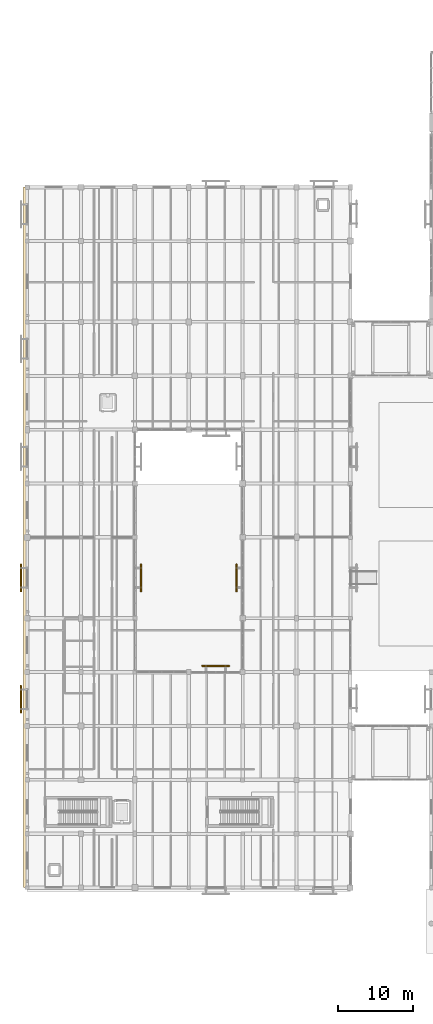
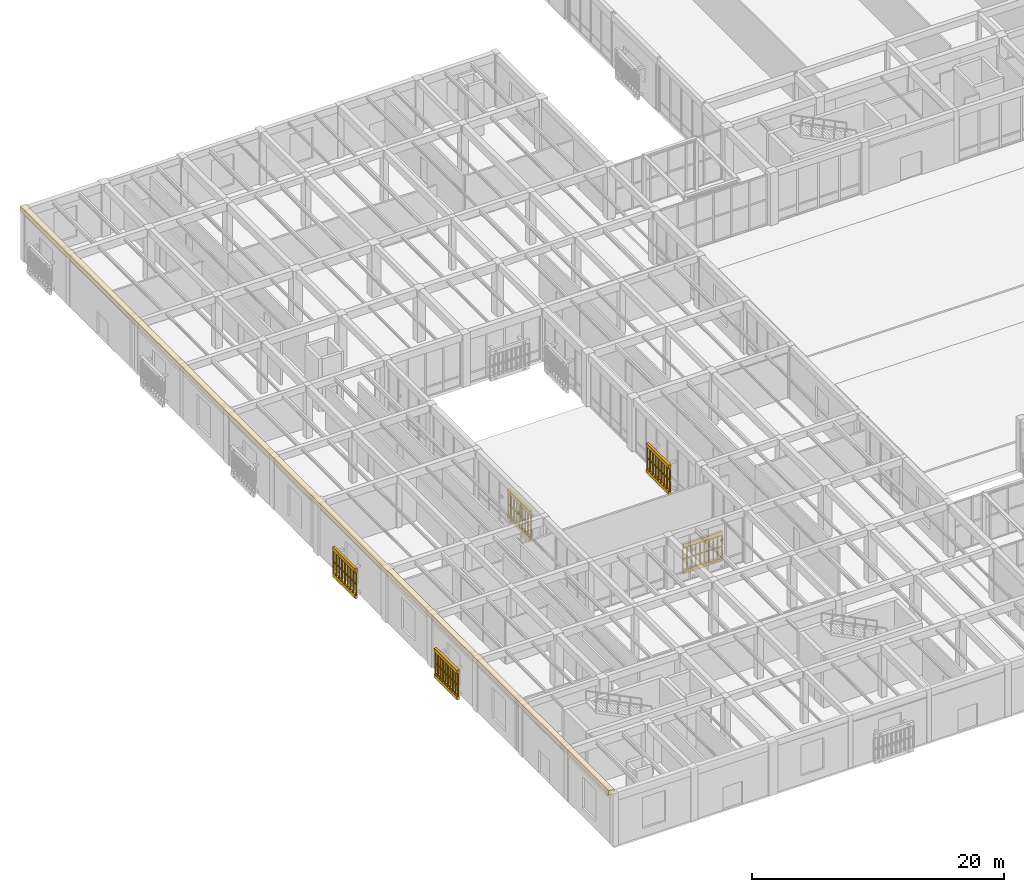
# One storey, part 146 of 169: 11 coverings, 10 railings.
"""IFC4 building model written with IfcOpenShell, lengths in metres."""

from ifc_helpers import new_model, si_unit, direction, frame, origin, origin_2d, place, context, subcontext, project, spatial, polyline, circle, outline, extrude, material, layer, layer_set, type_object, element, save


model = new_model("IFC4")

# Units and contexts
model_context = context("Model", 3, precision=1e-05, world=origin(), true_north=direction((0.0, 1.0)))
body_context = subcontext(model_context, "Body", "Model", "MODEL_VIEW")
ifc_project = project(units=[si_unit("LENGTHUNIT", "METRE"), si_unit("AREAUNIT", "SQUARE_METRE"), si_unit("VOLUMEUNIT", "CUBIC_METRE"), si_unit("PLANEANGLEUNIT", "RADIAN"), si_unit("MASSUNIT", "GRAM", prefix="KILO")], contexts=[model_context])

# Site, building, storey
site_placement = place(None, origin())
site = spatial("IfcSite", under=ifc_project, at=site_placement, CompositionType="ELEMENT")
building_placement = place(site_placement, origin())
building = spatial("IfcBuilding", under=site, at=building_placement, Name="Mazaris Harbour Polytechnic", CompositionType="ELEMENT")
storey_placement = place(building_placement, origin())
storey = spatial("IfcBuildingStorey", under=building, at=storey_placement, Name="L00", CompositionType="ELEMENT", Elevation=0.0)

# Covering
ifc_material_1 = material(Name="Algerian Buff Limestone", Category="masonry")
ifc_layer_1 = layer(ifc_material_1, 0.054931640625, Name="Algerian Buff Limestone")
ifc_layer_set_1 = layer_set([ifc_layer_1], Name="Algerian Buff Limestone")
covering_type_1 = type_object("IfcCoveringType", Name="Limestone Colonnade Fascia Cladding 55", PredefinedType="CLADDING", material=ifc_layer_set_1)
covering_1_placement = place(storey_placement, frame((0.0, 0.0, 4.949951171875)))
element("IfcCovering", 1, at=covering_1_placement, inside=storey, type_object=covering_type_1, Name="Covering COV-CL-04", PredefinedType="CLADDING", context=body_context, shape_type="SweptSolid", body=[
    extrude(outline(polyline([(-0.5, 7.199951171875), (0.02001953125, 7.199951171875), (0.02001953125, 100.800048828125), (-0.5, 100.800048828125), (-0.5, 7.199951171875)])), origin(), (0.0, 0.0, 1.0), 0.449951171875),
])

# Railings
ifc_material_2 = material(Name="Perforated Earth-Coloured Terracotta Block", Category="masonry")
railing_type = type_object("IfcRailingType", Name="Perforated Earth-Block Claustra Lattice 1040", PredefinedType="BALUSTRADE", material=ifc_material_2)
for number, where, name in (
    (2, (-0.820068359375, 30.58740234375, 0.52001953125), "V4 L00 Lower Perforated Terracotta Block Screen 140"),
    (3, (-0.820068359375, 30.58740234375, 1.610107421875), "V4 L00 Upper Perforated Terracotta Block Screen 140"),
):
    element("IfcRailing", number, at=place(storey_placement, frame(where)), inside=storey, type_object=railing_type, Name=name, PredefinedType="BALUSTRADE", context=body_context, shape_type="SweptSolid", body=[
        extrude(circle(Radius=0.06982421875, at=origin_2d()), frame((0.0, 0.0, 1.02001953125), z_axis=(0.0, 1.0, 0.0), x_axis=(-1.0, 0.0, 0.0)), (0.0, 0.0, 1.0), 3.60009765625),
        extrude(circle(Radius=0.074951171875, at=origin_2d()), origin(), (0.0, 0.0, 1.0), 0.9501953125),
        extrude(circle(Radius=0.074951171875, at=origin_2d()), frame((0.0, 0.39990234375, 0.0)), (0.0, 0.0, 1.0), 0.9501953125),
        extrude(circle(Radius=0.074951171875, at=origin_2d()), frame((0.0, 0.800048828125, 0.0)), (0.0, 0.0, 1.0), 0.9501953125),
        extrude(circle(Radius=0.074951171875, at=origin_2d()), frame((0.0, 1.199951171875, 0.0)), (0.0, 0.0, 1.0), 0.9501953125),
        extrude(circle(Radius=0.074951171875, at=origin_2d()), frame((0.0, 1.60009765625, 0.0)), (0.0, 0.0, 1.0), 0.9501953125),
        extrude(circle(Radius=0.074951171875, at=origin_2d()), frame((0.0, 2.0, 0.0)), (0.0, 0.0, 1.0), 0.9501953125),
        extrude(circle(Radius=0.074951171875, at=origin_2d()), frame((0.0, 2.400146484375, 0.0)), (0.0, 0.0, 1.0), 0.9501953125),
        extrude(circle(Radius=0.074951171875, at=origin_2d()), frame((0.0, 2.800048828125, 0.0)), (0.0, 0.0, 1.0), 0.9501953125),
        extrude(circle(Radius=0.074951171875, at=origin_2d()), frame((0.0, 3.2001953125, 0.0)), (0.0, 0.0, 1.0), 0.9501953125),
        extrude(circle(Radius=0.074951171875, at=origin_2d()), frame((0.0, 3.60009765625, 0.0)), (0.0, 0.0, 1.0), 0.9501953125),
    ])
for number, where, name in (
    (4, (-0.820068359375, 46.78759765625, 0.52001953125), "V4 L00 Lower Perforated Terracotta Block Screen 141"),
    (5, (-0.820068359375, 46.78759765625, 1.610107421875), "V4 L00 Upper Perforated Terracotta Block Screen 141"),
):
    element("IfcRailing", number, at=place(storey_placement, frame(where)), inside=storey, type_object=railing_type, Name=name, PredefinedType="BALUSTRADE", context=body_context, shape_type="SweptSolid", body=[
        extrude(circle(Radius=0.06982421875, at=origin_2d()), frame((0.0, 0.0, 1.02001953125), z_axis=(0.0, 1.0, 0.0), x_axis=(-1.0, 0.0, 0.0)), (0.0, 0.0, 1.0), 3.599853515625),
        extrude(circle(Radius=0.074951171875, at=origin_2d()), origin(), (0.0, 0.0, 1.0), 0.9501953125),
        extrude(circle(Radius=0.074951171875, at=origin_2d()), frame((0.0, 0.449951171875, 0.0)), (0.0, 0.0, 1.0), 0.9501953125),
        extrude(circle(Radius=0.074951171875, at=origin_2d()), frame((0.0, 0.89990234375, 0.0)), (0.0, 0.0, 1.0), 0.9501953125),
        extrude(circle(Radius=0.074951171875, at=origin_2d()), frame((0.0, 1.349853515625, 0.0)), (0.0, 0.0, 1.0), 0.9501953125),
        extrude(circle(Radius=0.074951171875, at=origin_2d()), frame((0.0, 1.7998046875, 0.0)), (0.0, 0.0, 1.0), 0.9501953125),
        extrude(circle(Radius=0.074951171875, at=origin_2d()), frame((0.0, 2.25, 0.0)), (0.0, 0.0, 1.0), 0.9501953125),
        extrude(circle(Radius=0.074951171875, at=origin_2d()), frame((0.0, 2.699951171875, 0.0)), (0.0, 0.0, 1.0), 0.9501953125),
        extrude(circle(Radius=0.074951171875, at=origin_2d()), frame((0.0, 3.14990234375, 0.0)), (0.0, 0.0, 1.0), 0.9501953125),
        extrude(circle(Radius=0.074951171875, at=origin_2d()), frame((0.0, 3.599853515625, 0.0)), (0.0, 0.0, 1.0), 0.9501953125),
    ])
for number, where, name in (
    (6, (23.39990234375, 36.820068359375, 0.52001953125), "V4 L00 Lower Perforated Terracotta Block Screen 149"),
    (7, (23.39990234375, 36.820068359375, 1.610107421875), "V4 L00 Upper Perforated Terracotta Block Screen 149"),
):
    element("IfcRailing", number, at=place(storey_placement, frame(where)), inside=storey, type_object=railing_type, Name=name, PredefinedType="BALUSTRADE", context=body_context, shape_type="SweptSolid", body=[
        extrude(circle(Radius=0.06982421875, at=origin_2d()), frame((0.0, 0.0, 1.02001953125), z_axis=(1.0, 0.0, 0.0), x_axis=(0.0, 1.0, 0.0)), (0.0, 0.0, 1.0), 3.60009765625),
        extrude(circle(Radius=0.074951171875, at=origin_2d()), origin(), (0.0, 0.0, 1.0), 0.9501953125),
        extrude(circle(Radius=0.074951171875, at=origin_2d()), frame((0.39990234375, 0.0, 0.0)), (0.0, 0.0, 1.0), 0.9501953125),
        extrude(circle(Radius=0.074951171875, at=origin_2d()), frame((0.800048828125, 0.0, 0.0)), (0.0, 0.0, 1.0), 0.9501953125),
        extrude(circle(Radius=0.074951171875, at=origin_2d()), frame((1.199951171875, 0.0, 0.0)), (0.0, 0.0, 1.0), 0.9501953125),
        extrude(circle(Radius=0.074951171875, at=origin_2d()), frame((1.60009765625, 0.0, 0.0)), (0.0, 0.0, 1.0), 0.9501953125),
        extrude(circle(Radius=0.074951171875, at=origin_2d()), frame((2.0, 0.0, 0.0)), (0.0, 0.0, 1.0), 0.9501953125),
        extrude(circle(Radius=0.074951171875, at=origin_2d()), frame((2.400146484375, 0.0, 0.0)), (0.0, 0.0, 1.0), 0.9501953125),
        extrude(circle(Radius=0.074951171875, at=origin_2d()), frame((2.800048828125, 0.0, 0.0)), (0.0, 0.0, 1.0), 0.9501953125),
        extrude(circle(Radius=0.074951171875, at=origin_2d()), frame((3.2001953125, 0.0, 0.0)), (0.0, 0.0, 1.0), 0.9501953125),
        extrude(circle(Radius=0.074951171875, at=origin_2d()), frame((3.60009765625, 0.0, 0.0)), (0.0, 0.0, 1.0), 0.9501953125),
    ])
for number, where, name in (
    (8, (15.219970703125, 46.78759765625, 0.52001953125), "V4 L00 Lower Perforated Terracotta Block Screen 151"),
    (9, (15.219970703125, 46.78759765625, 1.610107421875), "V4 L00 Upper Perforated Terracotta Block Screen 151"),
):
    element("IfcRailing", number, at=place(storey_placement, frame(where)), inside=storey, type_object=railing_type, Name=name, PredefinedType="BALUSTRADE", context=body_context, shape_type="SweptSolid", body=[
        extrude(circle(Radius=0.06982421875, at=origin_2d()), frame((0.0, 0.0, 1.02001953125), z_axis=(0.0, 1.0, 0.0), x_axis=(-1.0, 0.0, 0.0)), (0.0, 0.0, 1.0), 3.599853515625),
        extrude(circle(Radius=0.074951171875, at=origin_2d()), origin(), (0.0, 0.0, 1.0), 0.9501953125),
        extrude(circle(Radius=0.074951171875, at=origin_2d()), frame((0.0, 0.449951171875, 0.0)), (0.0, 0.0, 1.0), 0.9501953125),
        extrude(circle(Radius=0.074951171875, at=origin_2d()), frame((0.0, 0.89990234375, 0.0)), (0.0, 0.0, 1.0), 0.9501953125),
        extrude(circle(Radius=0.074951171875, at=origin_2d()), frame((0.0, 1.349853515625, 0.0)), (0.0, 0.0, 1.0), 0.9501953125),
        extrude(circle(Radius=0.074951171875, at=origin_2d()), frame((0.0, 1.7998046875, 0.0)), (0.0, 0.0, 1.0), 0.9501953125),
        extrude(circle(Radius=0.074951171875, at=origin_2d()), frame((0.0, 2.25, 0.0)), (0.0, 0.0, 1.0), 0.9501953125),
        extrude(circle(Radius=0.074951171875, at=origin_2d()), frame((0.0, 2.699951171875, 0.0)), (0.0, 0.0, 1.0), 0.9501953125),
        extrude(circle(Radius=0.074951171875, at=origin_2d()), frame((0.0, 3.14990234375, 0.0)), (0.0, 0.0, 1.0), 0.9501953125),
        extrude(circle(Radius=0.074951171875, at=origin_2d()), frame((0.0, 3.599853515625, 0.0)), (0.0, 0.0, 1.0), 0.9501953125),
    ])
for number, where, name in (
    (10, (27.97998046875, 50.387451171875, 0.52001953125), "V4 L00 Lower Perforated Terracotta Block Screen 153"),
    (11, (27.97998046875, 50.387451171875, 1.610107421875), "V4 L00 Upper Perforated Terracotta Block Screen 153"),
):
    element("IfcRailing", number, at=place(storey_placement, frame(where)), inside=storey, type_object=railing_type, Name=name, PredefinedType="BALUSTRADE", context=body_context, shape_type="SweptSolid", body=[
        extrude(circle(Radius=0.06982421875, at=origin_2d()), frame((0.0, 0.0, 1.02001953125), z_axis=(0.0, -1.0, 0.0), x_axis=(1.0, 0.0, 0.0)), (0.0, 0.0, 1.0), 3.599853515625),
        extrude(circle(Radius=0.074951171875, at=origin_2d()), origin(), (0.0, 0.0, 1.0), 0.9501953125),
        extrude(circle(Radius=0.074951171875, at=origin_2d()), frame((0.0, -0.449951171875, 0.0)), (0.0, 0.0, 1.0), 0.9501953125),
        extrude(circle(Radius=0.074951171875, at=origin_2d()), frame((0.0, -0.89990234375, 0.0)), (0.0, 0.0, 1.0), 0.9501953125),
        extrude(circle(Radius=0.074951171875, at=origin_2d()), frame((0.0, -1.349853515625, 0.0)), (0.0, 0.0, 1.0), 0.9501953125),
        extrude(circle(Radius=0.074951171875, at=origin_2d()), frame((0.0, -1.7998046875, 0.0)), (0.0, 0.0, 1.0), 0.9501953125),
        extrude(circle(Radius=0.074951171875, at=origin_2d()), frame((0.0, -2.25, 0.0)), (0.0, 0.0, 1.0), 0.9501953125),
        extrude(circle(Radius=0.074951171875, at=origin_2d()), frame((0.0, -2.699951171875, 0.0)), (0.0, 0.0, 1.0), 0.9501953125),
        extrude(circle(Radius=0.074951171875, at=origin_2d()), frame((0.0, -3.14990234375, 0.0)), (0.0, 0.0, 1.0), 0.9501953125),
        extrude(circle(Radius=0.074951171875, at=origin_2d()), frame((0.0, -3.599853515625, 0.0)), (0.0, 0.0, 1.0), 0.9501953125),
    ])

# Coverings
ifc_material_3 = material(Name="Perforated Earth-Coloured Terracotta Block", Category="masonry")
ifc_layer_2 = layer(ifc_material_3, 0.219970703125, Name="Perforated Earth-Coloured Terracotta Block")
ifc_layer_set_2 = layer_set([ifc_layer_2], Name="Perforated Earth-Coloured Terracotta Block")
covering_type_2 = type_object("IfcCoveringType", Name="Terracotta Screen Course Cladding 220", PredefinedType="CLADDING", material=ifc_layer_set_2)
covering_2_placement = place(storey_placement, frame((0.0, 0.0, 0.159912109375)))
element("IfcCovering", 12, at=covering_2_placement, inside=storey, type_object=covering_type_2, Name="V4 L00 Perforated Screen Sill Course 140", PredefinedType="CLADDING", context=body_context, shape_type="SweptSolid", body=[
    extrude(outline(polyline([(-0.7099609375, 30.58740234375), (-0.7099609375, 34.1875), (-0.929931640625, 34.1875), (-0.929931640625, 30.58740234375), (-0.7099609375, 30.58740234375)])), origin(), (0.0, 0.0, 1.0), 0.360107421875),
])
covering_3_placement = place(storey_placement, frame((0.0, 0.0, 2.699951171875)))
element("IfcCovering", 13, at=covering_3_placement, inside=storey, type_object=covering_type_2, Name="V4 L00 Perforated Screen Lintel Course 140", PredefinedType="CLADDING", context=body_context, shape_type="SweptSolid", body=[
    extrude(outline(polyline([(-0.7099609375, 30.58740234375), (-0.7099609375, 34.1875), (-0.929931640625, 34.1875), (-0.929931640625, 30.58740234375), (-0.7099609375, 30.58740234375)])), origin(), (0.0, 0.0, 1.0), 0.340087890625),
])
covering_4_placement = place(storey_placement, frame((0.0, 0.0, 0.159912109375)))
element("IfcCovering", 14, at=covering_4_placement, inside=storey, type_object=covering_type_2, Name="V4 L00 Perforated Screen Sill Course 141", PredefinedType="CLADDING", context=body_context, shape_type="SweptSolid", body=[
    extrude(outline(polyline([(-0.7099609375, 46.78759765625), (-0.7099609375, 50.387451171875), (-0.929931640625, 50.387451171875), (-0.929931640625, 46.78759765625), (-0.7099609375, 46.78759765625)])), origin(), (0.0, 0.0, 1.0), 0.360107421875),
])
covering_5_placement = place(storey_placement, frame((0.0, 0.0, 2.699951171875)))
element("IfcCovering", 15, at=covering_5_placement, inside=storey, type_object=covering_type_2, Name="V4 L00 Perforated Screen Lintel Course 141", PredefinedType="CLADDING", context=body_context, shape_type="SweptSolid", body=[
    extrude(outline(polyline([(-0.7099609375, 46.78759765625), (-0.7099609375, 50.387451171875), (-0.929931640625, 50.387451171875), (-0.929931640625, 46.78759765625), (-0.7099609375, 46.78759765625)])), origin(), (0.0, 0.0, 1.0), 0.340087890625),
])
covering_6_placement = place(storey_placement, frame((0.0, 0.0, 0.159912109375)))
element("IfcCovering", 16, at=covering_6_placement, inside=storey, type_object=covering_type_2, Name="V4 L00 Perforated Screen Sill Course 149", PredefinedType="CLADDING", context=body_context, shape_type="SweptSolid", body=[
    extrude(outline(polyline([(23.39990234375, 36.7099609375), (27.0, 36.7099609375), (27.0, 36.929931640625), (23.39990234375, 36.929931640625), (23.39990234375, 36.7099609375)])), origin(), (0.0, 0.0, 1.0), 0.360107421875),
])
covering_7_placement = place(storey_placement, frame((0.0, 0.0, 2.699951171875)))
element("IfcCovering", 17, at=covering_7_placement, inside=storey, type_object=covering_type_2, Name="V4 L00 Perforated Screen Lintel Course 149", PredefinedType="CLADDING", context=body_context, shape_type="SweptSolid", body=[
    extrude(outline(polyline([(23.39990234375, 36.7099609375), (27.0, 36.7099609375), (27.0, 36.929931640625), (23.39990234375, 36.929931640625), (23.39990234375, 36.7099609375)])), origin(), (0.0, 0.0, 1.0), 0.340087890625),
])
covering_8_placement = place(storey_placement, frame((0.0, 0.0, 0.159912109375)))
element("IfcCovering", 18, at=covering_8_placement, inside=storey, type_object=covering_type_2, Name="V4 L00 Perforated Screen Sill Course 151", PredefinedType="CLADDING", context=body_context, shape_type="SweptSolid", body=[
    extrude(outline(polyline([(15.110107421875, 46.78759765625), (15.110107421875, 50.387451171875), (15.330078125, 50.387451171875), (15.330078125, 46.78759765625), (15.110107421875, 46.78759765625)])), origin(), (0.0, 0.0, 1.0), 0.360107421875),
])
covering_9_placement = place(storey_placement, frame((0.0, 0.0, 2.699951171875)))
element("IfcCovering", 19, at=covering_9_placement, inside=storey, type_object=covering_type_2, Name="V4 L00 Perforated Screen Lintel Course 151", PredefinedType="CLADDING", context=body_context, shape_type="SweptSolid", body=[
    extrude(outline(polyline([(15.110107421875, 46.78759765625), (15.110107421875, 50.387451171875), (15.330078125, 50.387451171875), (15.330078125, 46.78759765625), (15.110107421875, 46.78759765625)])), origin(), (0.0, 0.0, 1.0), 0.340087890625),
])
covering_10_placement = place(storey_placement, frame((0.0, 0.0, 0.159912109375)))
element("IfcCovering", 20, at=covering_10_placement, inside=storey, type_object=covering_type_2, Name="V4 L00 Perforated Screen Sill Course 153", PredefinedType="CLADDING", context=body_context, shape_type="SweptSolid", body=[
    extrude(outline(polyline([(28.090087890625, 50.387451171875), (28.090087890625, 46.78759765625), (27.8701171875, 46.78759765625), (27.8701171875, 50.387451171875), (28.090087890625, 50.387451171875)])), origin(), (0.0, 0.0, 1.0), 0.360107421875),
])
covering_11_placement = place(storey_placement, frame((0.0, 0.0, 2.699951171875)))
element("IfcCovering", 21, at=covering_11_placement, inside=storey, type_object=covering_type_2, Name="V4 L00 Perforated Screen Lintel Course 153", PredefinedType="CLADDING", context=body_context, shape_type="SweptSolid", body=[
    extrude(outline(polyline([(28.090087890625, 50.387451171875), (28.090087890625, 46.78759765625), (27.8701171875, 46.78759765625), (27.8701171875, 50.387451171875), (28.090087890625, 50.387451171875)])), origin(), (0.0, 0.0, 1.0), 0.340087890625),
])

save(model, "model.ifc")
